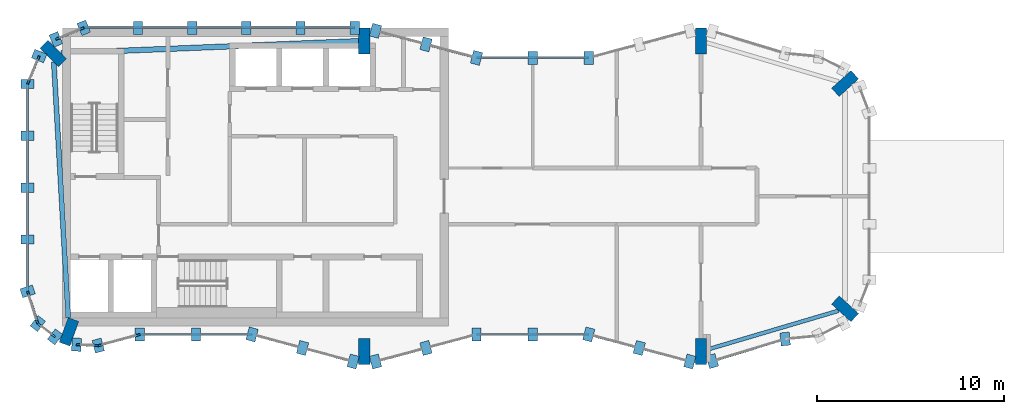
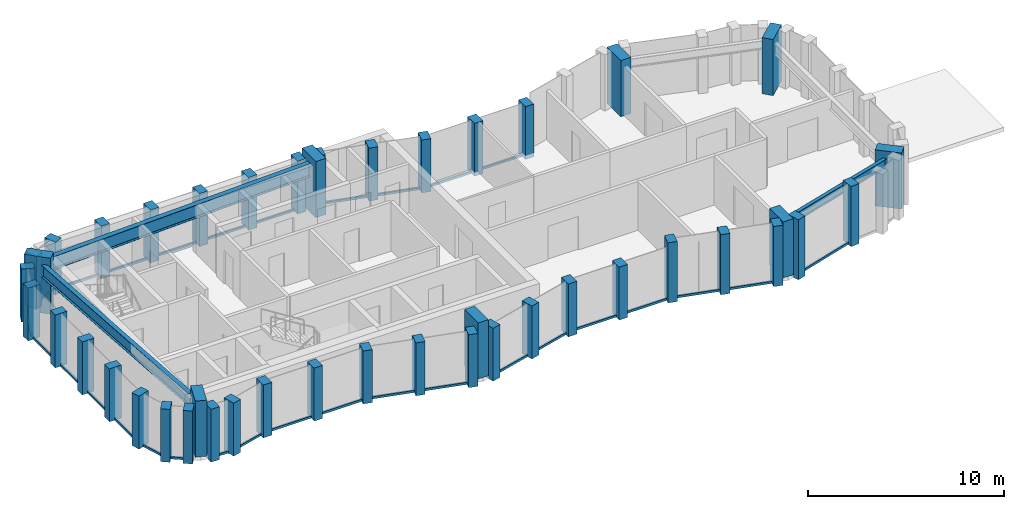
# One storey, part 1 of 6: 52 members, 8 columns, 3 beams, 17 elements without a shape of their own.
"""IFC4 building model written with IfcOpenShell, lengths in metres."""

from ifc_helpers import new_model, si_unit, direction, frame, origin, origin_2d, place, context, subcontext, project, spatial, rectangle, i_section, extrude, material, layer, layer_set, material_profile, profile_set, type_object, element, aggregate, save


model = new_model("IFC4")

# Units and contexts
model_context = context("Model", 3, precision=1e-05, world=origin(), true_north=direction((0.0, 1.0)))
body_context = subcontext(model_context, "Body", "Model", "MODEL_VIEW")
ifc_project = project(units=[si_unit("LENGTHUNIT", "METRE"), si_unit("AREAUNIT", "SQUARE_METRE"), si_unit("VOLUMEUNIT", "CUBIC_METRE"), si_unit("PLANEANGLEUNIT", "RADIAN"), si_unit("MASSUNIT", "GRAM", prefix="KILO")], contexts=[model_context])

# Site, building, storey
site_placement = place(None, origin())
site = spatial("IfcSite", under=ifc_project, at=site_placement, CompositionType="ELEMENT")
building_placement = place(site_placement, origin())
building = spatial("IfcBuilding", under=site, at=building_placement, Name="Plateau Cross Towers", CompositionType="ELEMENT")
storey_placement = place(building_placement, frame((0.0, 0.0, 291.39990234375)))
storey = spatial("IfcBuildingStorey", under=building, at=storey_placement, Name="L77 Crown 1", CompositionType="ELEMENT", Elevation=291.39990234375)

# Columns
ifc_material_1 = material(Name="Concrete C60/75", Category="concrete")
ifc_material_profile_1 = material_profile(ifc_material_1, rectangle(XDim=0.60009765625, YDim=1.39990234375, at=origin_2d()), Name="RC 600x1400")
ifc_profile_set_1 = profile_set([ifc_material_profile_1], Name="Concrete C60/75")
column_type = type_object("IfcColumnType", Name="Fin pier column RC 600x1400", PredefinedType="COLUMN", material=ifc_profile_set_1)
for number, where, z_axis, x_axis, name in (
    (1, (18.0, 0.699951171875, 0.0), (0.0, 0.0, 1.0), (1.0, 0.0, 0.0), "PR1 L77 Crown 1"),
    (2, (36.0, 0.699951171875, 0.0), (0.0, 0.0, 1.0), (1.0, 0.0, 0.0), "PR2 L77 Crown 1"),
    (3, (43.703125, 2.97705078125, 0.0), (0.0, 0.0, 1.0), (0.672084253376, 0.740474683135, 0.0), "PR15 L77 Crown 1"),
    (4, (43.703125, 15.02294921875, 0.0), (0.0, 0.0, 1.0), (-0.672084253376, 0.740474683135, 0.0), "PR16 L77 Crown 1"),
    (5, (36.0, 17.300048828125, 0.0), (0.0, 0.0, 1.0), (1.0, 0.0, 0.0), "PR5 L77 Crown 1"),
    (6, (18.0, 17.300048828125, 0.0), (0.0, 0.0, 1.0), (1.0, 0.0, 0.0), "PR13 L77 Crown 1"),
    (7, (1.37353515625, 16.62646484375, 0.0), (0.0, 0.0, 1.0), (0.707106781187, 0.707106781187, 0.0), "PR14 L77 Crown 1"),
    (8, (2.213134765625, 1.748046875, 0.0), (0.0, 0.0, 1.0), (-0.939664280925, 0.342097996418, 0.0), "PR12 L77 Crown 1"),
):
    element("IfcColumn", number, at=place(storey_placement, frame(where, z_axis=z_axis, x_axis=x_axis)), inside=storey, type_object=column_type, Name=name, PredefinedType="COLUMN", context=body_context, shape_type="SweptSolid", body=[
        extrude(rectangle(XDim=0.60009765625, YDim=1.39990234375, at=origin_2d()), origin(), (0.0, 0.0, 1.0), 3.5),
    ])

# Beams
ifc_material_2 = material(Name="Steel S355", Category="steel")
ifc_material_profile_2 = material_profile(ifc_material_2, i_section(OverallWidth=0.209228515625, OverallDepth=0.533203125, WebThickness=0.010009765625, FlangeThickness=0.015625, FilletRadius=0.0126953125, at=origin_2d()), Name="UB 533x210x92")
ifc_profile_set_2 = profile_set([ifc_material_profile_2], Name="Steel S355")
beam_type_1 = type_object("IfcBeamType", Name="Crown ring beam UB 533x210x92", PredefinedType="BEAM", material=ifc_profile_set_2)
beam_1_placement = place(storey_placement, frame((36.300048828125, 0.78857421875, 2.783447265625), z_axis=(0.958969404993, 0.283509577064, 0.0), x_axis=(-0.283509577064, 0.958969404993, 0.0)))
element("IfcBeam", 9, at=beam_1_placement, inside=storey, type_object=beam_type_1, Name="CRB-L77 Crown 1-02", PredefinedType="BEAM", context=body_context, shape_type="SweptSolid", body=[
    extrude(i_section(OverallWidth=0.209228515625, OverallDepth=0.533203125, WebThickness=0.010009765625, FlangeThickness=0.015625, FilletRadius=0.0126953125, at=origin_2d()), origin(), (0.0, 0.0, 1.0), 7.36865234375),
])
ifc_material_profile_3 = material_profile(ifc_material_2, i_section(OverallWidth=0.26513671875, OverallDepth=0.75390625, WebThickness=0.0126953125, FlangeThickness=0.017578125, FilletRadius=0.0166015625, at=origin_2d()), Name="UB 762x267x147")
ifc_profile_set_3 = profile_set([ifc_material_profile_3], Name="Steel S355")
beam_type_2 = type_object("IfcBeamType", Name="Crown ring beam UB 762x267x147", PredefinedType="BEAM", material=ifc_profile_set_3)
beam_2_placement = place(storey_placement, frame((1.39892578125, 16.1767578125, 2.673095703125), z_axis=(0.056348976318, -0.998411134187, 0.0), x_axis=(0.998411134187, 0.056348976318, 0.0)))
element("IfcBeam", 10, at=beam_2_placement, inside=storey, type_object=beam_type_2, Name="CRB-L77 Crown 1-07", PredefinedType="BEAM", context=body_context, shape_type="SweptSolid", body=[
    extrude(i_section(OverallWidth=0.26513671875, OverallDepth=0.75390625, WebThickness=0.0126953125, FlangeThickness=0.017578125, FilletRadius=0.0166015625, at=origin_2d()), origin(), (0.0, 0.0, 1.0), 13.691162109375),
])
ifc_material_profile_4 = material_profile(ifc_material_2, i_section(OverallWidth=0.291748046875, OverallDepth=0.8349609375, WebThickness=0.013916015625, FlangeThickness=0.018798828125, FilletRadius=0.017822265625, at=origin_2d()), Name="UB 838x292x176")
ifc_profile_set_4 = profile_set([ifc_material_profile_4], Name="Steel S355")
beam_type_3 = type_object("IfcBeamType", Name="Crown ring beam UB 838x292x176", PredefinedType="BEAM", material=ifc_profile_set_4)
beam_3_placement = place(storey_placement, frame((17.699951171875, 17.287841796875, 2.632568359375), z_axis=(-0.999180065047, -0.040487005488, 0.0), x_axis=(0.040487005488, -0.999180065047, 0.0)))
element("IfcBeam", 11, at=beam_3_placement, inside=storey, type_object=beam_type_3, Name="CRB-L77 Crown 1-06", PredefinedType="BEAM", context=body_context, shape_type="SweptSolid", body=[
    extrude(i_section(OverallWidth=0.291748046875, OverallDepth=0.8349609375, WebThickness=0.013916015625, FlangeThickness=0.018798828125, FilletRadius=0.017822265625, at=origin_2d()), origin(), (0.0, 0.0, 1.0), 15.931640625),
])

# Curtain wall, member
ifc_material_3 = material(Name="Dark low-iron glass", Category="glass")
ifc_layer = layer(ifc_material_3, 0.800048828125)
ifc_layer_set = layer_set([ifc_layer], Name="Dark low-iron glass")
curtain_wall_type = type_object("IfcCurtainWallType", Name="Curtain wall sky lounge CW-D", PredefinedType="NOTDEFINED", material=ifc_layer_set)
curtain_wall_1_placement = place(storey_placement, origin())
curtain_wall_1 = element("IfcCurtainWall", 12, at=curtain_wall_1_placement, inside=storey, type_object=curtain_wall_type, Name="ENV/A/L77 Crown 1/A38_10", PredefinedType="NOTDEFINED")
ifc_material_4 = material(Name="Black anodised aluminium", Category="aluminium")
ifc_material_profile_5 = material_profile(ifc_material_4, rectangle(XDim=0.5, YDim=0.699951171875, at=origin_2d()), Name="MULLION 500x700")
ifc_profile_set_5 = profile_set([ifc_material_profile_5], Name="Black anodised aluminium")
member_type_1 = type_object("IfcMemberType", Name="Mullion 500x700 sky lounge", PredefinedType="MULLION", material=ifc_profile_set_5)
member_1_placement = place(storey_placement, frame((3.776123046875, 1.01123046875, -0.25), z_axis=(0.0, 0.0, 1.0), x_axis=(0.965957962328, 0.258699081978, 0.0)))
member_1 = element("IfcMember", 13, at=member_1_placement, type_object=member_type_1, Name="CW-D mullion 1", PredefinedType="MULLION", context=body_context, shape_type="SweptSolid", body=[
    extrude(rectangle(XDim=0.5, YDim=0.699951171875, at=origin_2d()), origin(), (0.0, 0.0, 1.0), 3.300048828125),
])

# Curtain wall, members
curtain_wall_2_placement = place(storey_placement, origin())
curtain_wall_2 = element("IfcCurtainWall", 14, at=curtain_wall_2_placement, inside=storey, type_object=curtain_wall_type, Name="ENV/A/L77 Crown 1/A60_16", PredefinedType="NOTDEFINED")
member_2_placement = place(storey_placement, frame((6.0, 1.60693359375, -0.25), z_axis=(0.0, 0.0, 1.0), x_axis=(1.0, 0.0, 0.0)))
member_2 = element("IfcMember", 15, at=member_2_placement, type_object=member_type_1, Name="CW-D mullion 1", PredefinedType="MULLION", context=body_context, shape_type="SweptSolid", body=[
    extrude(rectangle(XDim=0.5, YDim=0.699951171875, at=origin_2d()), origin(), (0.0, 0.0, 1.0), 3.300048828125),
])
member_3_placement = place(storey_placement, frame((9.0, 1.60693359375, -0.25), z_axis=(0.0, 0.0, 1.0), x_axis=(1.0, 0.0, 0.0)))
member_3 = element("IfcMember", 16, at=member_3_placement, type_object=member_type_1, Name="CW-D mullion 2", PredefinedType="MULLION", context=body_context, shape_type="SweptSolid", body=[
    extrude(rectangle(XDim=0.5, YDim=0.699951171875, at=origin_2d()), origin(), (0.0, 0.0, 1.0), 3.300048828125),
])

curtain_wall_3_placement = place(storey_placement, origin())
curtain_wall_3 = element("IfcCurtainWall", 17, at=curtain_wall_3_placement, inside=storey, type_object=curtain_wall_type, Name="ENV/A/L77 Crown 1/A120_16", PredefinedType="NOTDEFINED")
member_4_placement = place(storey_placement, frame((12.0, 1.60693359375, -0.25), z_axis=(0.0, 0.0, 1.0), x_axis=(0.965957983404, -0.258699003279, 0.0)))
member_4 = element("IfcMember", 18, at=member_4_placement, type_object=member_type_1, Name="CW-D mullion 1", PredefinedType="MULLION", context=body_context, shape_type="SweptSolid", body=[
    extrude(rectangle(XDim=0.5, YDim=0.699951171875, at=origin_2d()), origin(), (0.0, 0.0, 1.0), 3.300048828125),
])
member_5_placement = place(storey_placement, frame((14.70166015625, 0.88330078125, -0.25), z_axis=(0.0, 0.0, 1.0), x_axis=(0.965957983404, -0.258699003279, 0.0)))
member_5 = element("IfcMember", 19, at=member_5_placement, type_object=member_type_1, Name="CW-D mullion 2", PredefinedType="MULLION", context=body_context, shape_type="SweptSolid", body=[
    extrude(rectangle(XDim=0.5, YDim=0.699951171875, at=origin_2d()), origin(), (0.0, 0.0, 1.0), 3.300048828125),
])
member_6_placement = place(storey_placement, frame((17.403076171875, 0.159912109375, -0.25), z_axis=(0.0, 0.0, 1.0), x_axis=(0.965957983404, -0.258699003279, 0.0)))
member_6 = element("IfcMember", 20, at=member_6_placement, type_object=member_type_1, Name="CW-D mullion 3", PredefinedType="MULLION", context=body_context, shape_type="SweptSolid", body=[
    extrude(rectangle(XDim=0.5, YDim=0.699951171875, at=origin_2d()), origin(), (0.0, 0.0, 1.0), 3.300048828125),
])

curtain_wall_4_placement = place(storey_placement, origin())
curtain_wall_4 = element("IfcCurtainWall", 21, at=curtain_wall_4_placement, inside=storey, type_object=curtain_wall_type, Name="ENV/A/L77 Crown 1/A186_2", PredefinedType="NOTDEFINED")
member_7_placement = place(storey_placement, frame((18.596923828125, 0.159912109375, -0.25), z_axis=(0.0, 0.0, 1.0), x_axis=(0.965957983404, 0.258699003279, 0.0)))
member_7 = element("IfcMember", 22, at=member_7_placement, type_object=member_type_1, Name="CW-D mullion 1", PredefinedType="MULLION", context=body_context, shape_type="SweptSolid", body=[
    extrude(rectangle(XDim=0.5, YDim=0.699951171875, at=origin_2d()), origin(), (0.0, 0.0, 1.0), 3.300048828125),
])
member_8_placement = place(storey_placement, frame((21.29833984375, 0.88330078125, -0.25), z_axis=(0.0, 0.0, 1.0), x_axis=(0.965957983404, 0.258699003279, 0.0)))
member_8 = element("IfcMember", 23, at=member_8_placement, type_object=member_type_1, Name="CW-D mullion 2", PredefinedType="MULLION", context=body_context, shape_type="SweptSolid", body=[
    extrude(rectangle(XDim=0.5, YDim=0.699951171875, at=origin_2d()), origin(), (0.0, 0.0, 1.0), 3.300048828125),
])

curtain_wall_5_placement = place(storey_placement, origin())
curtain_wall_5 = element("IfcCurtainWall", 24, at=curtain_wall_5_placement, inside=storey, type_object=curtain_wall_type, Name="ENV/A/L77 Crown 1/A240_16", PredefinedType="NOTDEFINED")
member_9_placement = place(storey_placement, frame((24.0, 1.60693359375, -0.25), z_axis=(0.0, 0.0, 1.0), x_axis=(1.0, 0.0, 0.0)))
member_9 = element("IfcMember", 25, at=member_9_placement, type_object=member_type_1, Name="CW-D mullion 1", PredefinedType="MULLION", context=body_context, shape_type="SweptSolid", body=[
    extrude(rectangle(XDim=0.5, YDim=0.699951171875, at=origin_2d()), origin(), (0.0, 0.0, 1.0), 3.300048828125),
])
member_10_placement = place(storey_placement, frame((27.0, 1.60693359375, -0.25), z_axis=(0.0, 0.0, 1.0), x_axis=(1.0, 0.0, 0.0)))
member_10 = element("IfcMember", 26, at=member_10_placement, type_object=member_type_1, Name="CW-D mullion 2", PredefinedType="MULLION", context=body_context, shape_type="SweptSolid", body=[
    extrude(rectangle(XDim=0.5, YDim=0.699951171875, at=origin_2d()), origin(), (0.0, 0.0, 1.0), 3.300048828125),
])

curtain_wall_6_placement = place(storey_placement, origin())
curtain_wall_6 = element("IfcCurtainWall", 27, at=curtain_wall_6_placement, inside=storey, type_object=curtain_wall_type, Name="ENV/A/L77 Crown 1/A300_16", PredefinedType="NOTDEFINED")
member_11_placement = place(storey_placement, frame((30.0, 1.60693359375, -0.25), z_axis=(0.0, 0.0, 1.0), x_axis=(0.965957983404, -0.258699003279, 0.0)))
member_11 = element("IfcMember", 28, at=member_11_placement, type_object=member_type_1, Name="CW-D mullion 1", PredefinedType="MULLION", context=body_context, shape_type="SweptSolid", body=[
    extrude(rectangle(XDim=0.5, YDim=0.699951171875, at=origin_2d()), origin(), (0.0, 0.0, 1.0), 3.75),
])
member_12_placement = place(storey_placement, frame((32.70166015625, 0.88330078125, -0.25), z_axis=(0.0, 0.0, 1.0), x_axis=(0.965957983404, -0.258699003279, 0.0)))
member_12 = element("IfcMember", 29, at=member_12_placement, type_object=member_type_1, Name="CW-D mullion 2", PredefinedType="MULLION", context=body_context, shape_type="SweptSolid", body=[
    extrude(rectangle(XDim=0.5, YDim=0.699951171875, at=origin_2d()), origin(), (0.0, 0.0, 1.0), 3.75),
])
member_13_placement = place(storey_placement, frame((35.403076171875, 0.159912109375, -0.25), z_axis=(0.0, 0.0, 1.0), x_axis=(0.965957983404, -0.258699003279, 0.0)))
member_13 = element("IfcMember", 30, at=member_13_placement, type_object=member_type_1, Name="CW-D mullion 3", PredefinedType="MULLION", context=body_context, shape_type="SweptSolid", body=[
    extrude(rectangle(XDim=0.5, YDim=0.699951171875, at=origin_2d()), origin(), (0.0, 0.0, 1.0), 3.75),
])

# Curtain wall, member
curtain_wall_7_placement = place(storey_placement, origin())
curtain_wall_7 = element("IfcCurtainWall", 31, at=curtain_wall_7_placement, inside=storey, type_object=curtain_wall_type, Name="ENV/A/L77 Crown 1/A366_2", PredefinedType="NOTDEFINED")
member_14_placement = place(storey_placement, frame((36.60546875, 0.183349609375, -0.25), z_axis=(0.0, 0.0, 1.0), x_axis=(0.957048328724, 0.289928433386, 0.0)))
member_14 = element("IfcMember", 32, at=member_14_placement, type_object=member_type_1, Name="CW-D mullion 1", PredefinedType="MULLION", context=body_context, shape_type="SweptSolid", body=[
    extrude(rectangle(XDim=0.5, YDim=0.699951171875, at=origin_2d()), origin(), (0.0, 0.0, 1.0), 3.75),
])

curtain_wall_8_placement = place(storey_placement, origin())
curtain_wall_8 = element("IfcCurtainWall", 33, at=curtain_wall_8_placement, inside=storey, type_object=curtain_wall_type, Name="ENV/A/L77 Crown 1/A405_14", PredefinedType="NOTDEFINED")
member_15_placement = place(storey_placement, frame((40.5, 1.36328125, -0.25), z_axis=(0.0, 0.0, 1.0), x_axis=(0.995322680406, 0.096606220658, 0.0)))
member_15 = element("IfcMember", 34, at=member_15_placement, type_object=member_type_1, Name="CW-D mullion 1", PredefinedType="MULLION", context=body_context, shape_type="SweptSolid", body=[
    extrude(rectangle(XDim=0.5, YDim=0.699951171875, at=origin_2d()), origin(), (0.0, 0.0, 1.0), 3.75),
])
aggregate(curtain_wall_8, [member_15])

# Curtain wall, members
curtain_wall_9_placement = place(storey_placement, origin())
curtain_wall_9 = element("IfcCurtainWall", 35, at=curtain_wall_9_placement, inside=storey, type_object=curtain_wall_type, Name="ENV/A/L77 Crown 1/A300_164", PredefinedType="NOTDEFINED")
member_16_placement = place(storey_placement, frame((30.0, 16.39306640625, -0.25), z_axis=(0.0, 0.0, 1.0), x_axis=(-1.0, 0.0, 0.0)))
member_16 = element("IfcMember", 36, at=member_16_placement, type_object=member_type_1, Name="CW-D mullion 1", PredefinedType="MULLION", context=body_context, shape_type="SweptSolid", body=[
    extrude(rectangle(XDim=0.5, YDim=0.699951171875, at=origin_2d()), origin(), (0.0, 0.0, 1.0), 3.300048828125),
])
member_17_placement = place(storey_placement, frame((27.0, 16.39306640625, -0.25), z_axis=(0.0, 0.0, 1.0), x_axis=(-1.0, 0.0, 0.0)))
member_17 = element("IfcMember", 37, at=member_17_placement, type_object=member_type_1, Name="CW-D mullion 2", PredefinedType="MULLION", context=body_context, shape_type="SweptSolid", body=[
    extrude(rectangle(XDim=0.5, YDim=0.699951171875, at=origin_2d()), origin(), (0.0, 0.0, 1.0), 3.300048828125),
])

curtain_wall_10_placement = place(storey_placement, origin())
curtain_wall_10 = element("IfcCurtainWall", 38, at=curtain_wall_10_placement, inside=storey, type_object=curtain_wall_type, Name="ENV/A/L77 Crown 1/A240_164", PredefinedType="NOTDEFINED")
member_18_placement = place(storey_placement, frame((24.0, 16.39306640625, -0.25), z_axis=(0.0, 0.0, 1.0), x_axis=(-0.965957983404, 0.258699003279, 0.0)))
member_18 = element("IfcMember", 39, at=member_18_placement, type_object=member_type_1, Name="CW-D mullion 1", PredefinedType="MULLION", context=body_context, shape_type="SweptSolid", body=[
    extrude(rectangle(XDim=0.5, YDim=0.699951171875, at=origin_2d()), origin(), (0.0, 0.0, 1.0), 3.300048828125),
])
member_19_placement = place(storey_placement, frame((21.29833984375, 17.11669921875, -0.25), z_axis=(0.0, 0.0, 1.0), x_axis=(-0.965957983404, 0.258699003279, 0.0)))
member_19 = element("IfcMember", 40, at=member_19_placement, type_object=member_type_1, Name="CW-D mullion 2", PredefinedType="MULLION", context=body_context, shape_type="SweptSolid", body=[
    extrude(rectangle(XDim=0.5, YDim=0.699951171875, at=origin_2d()), origin(), (0.0, 0.0, 1.0), 3.300048828125),
])
member_20_placement = place(storey_placement, frame((18.596923828125, 17.840087890625, -0.25), z_axis=(0.0, 0.0, 1.0), x_axis=(-0.965957983404, 0.258699003279, 0.0)))
member_20 = element("IfcMember", 41, at=member_20_placement, type_object=member_type_1, Name="CW-D mullion 3", PredefinedType="MULLION", context=body_context, shape_type="SweptSolid", body=[
    extrude(rectangle(XDim=0.5, YDim=0.699951171875, at=origin_2d()), origin(), (0.0, 0.0, 1.0), 3.300048828125),
])

curtain_wall_11_placement = place(storey_placement, origin())
curtain_wall_11 = element("IfcCurtainWall", 42, at=curtain_wall_11_placement, inside=storey, type_object=curtain_wall_type, Name="ENV/A/L77 Crown 1/A175_180", PredefinedType="NOTDEFINED")
member_21_placement = place(storey_placement, frame((17.485107421875, 18.0, -0.25), z_axis=(0.0, 0.0, 1.0), x_axis=(-1.0, 0.0, 0.0)))
member_21 = element("IfcMember", 43, at=member_21_placement, type_object=member_type_1, Name="CW-D mullion 1", PredefinedType="MULLION", context=body_context, shape_type="SweptSolid", body=[
    extrude(rectangle(XDim=0.5, YDim=0.699951171875, at=origin_2d()), origin(), (0.0, 0.0, 1.0), 3.300048828125),
])
member_22_placement = place(storey_placement, frame((14.587890625, 18.0, -0.25), z_axis=(0.0, 0.0, 1.0), x_axis=(-1.0, 0.0, 0.0)))
member_22 = element("IfcMember", 44, at=member_22_placement, type_object=member_type_1, Name="CW-D mullion 2", PredefinedType="MULLION", context=body_context, shape_type="SweptSolid", body=[
    extrude(rectangle(XDim=0.5, YDim=0.699951171875, at=origin_2d()), origin(), (0.0, 0.0, 1.0), 3.300048828125),
])
member_23_placement = place(storey_placement, frame((11.69091796875, 18.0, -0.25), z_axis=(0.0, 0.0, 1.0), x_axis=(-1.0, 0.0, 0.0)))
member_23 = element("IfcMember", 45, at=member_23_placement, type_object=member_type_1, Name="CW-D mullion 3", PredefinedType="MULLION", context=body_context, shape_type="SweptSolid", body=[
    extrude(rectangle(XDim=0.5, YDim=0.699951171875, at=origin_2d()), origin(), (0.0, 0.0, 1.0), 3.300048828125),
])
member_24_placement = place(storey_placement, frame((8.7939453125, 18.0, -0.25), z_axis=(0.0, 0.0, 1.0), x_axis=(-1.0, 0.0, 0.0)))
member_24 = element("IfcMember", 46, at=member_24_placement, type_object=member_type_1, Name="CW-D mullion 4", PredefinedType="MULLION", context=body_context, shape_type="SweptSolid", body=[
    extrude(rectangle(XDim=0.5, YDim=0.699951171875, at=origin_2d()), origin(), (0.0, 0.0, 1.0), 3.300048828125),
])
member_25_placement = place(storey_placement, frame((5.89697265625, 18.0, -0.25), z_axis=(0.0, 0.0, 1.0), x_axis=(-1.0, 0.0, 0.0)))
member_25 = element("IfcMember", 47, at=member_25_placement, type_object=member_type_1, Name="CW-D mullion 5", PredefinedType="MULLION", context=body_context, shape_type="SweptSolid", body=[
    extrude(rectangle(XDim=0.5, YDim=0.699951171875, at=origin_2d()), origin(), (0.0, 0.0, 1.0), 3.300048828125),
])

curtain_wall_12_placement = place(storey_placement, origin())
curtain_wall_12 = element("IfcCurtainWall", 48, at=curtain_wall_12_placement, inside=storey, type_object=curtain_wall_type, Name="ENV/A/L77 Crown 1/A30_180", PredefinedType="NOTDEFINED")
member_26_placement = place(storey_placement, frame((3.0, 18.0, -0.25), z_axis=(0.0, 0.0, 1.0), x_axis=(-0.923879457699, -0.382683612978, 0.0)))
member_26 = element("IfcMember", 49, at=member_26_placement, type_object=member_type_1, Name="CW-D mullion 1", PredefinedType="MULLION", context=body_context, shape_type="SweptSolid", body=[
    extrude(rectangle(XDim=0.5, YDim=0.699951171875, at=origin_2d()), origin(), (0.0, 0.0, 1.0), 3.300048828125),
])
member_27_placement = place(storey_placement, frame((1.50830078125, 17.382080078125, -0.25), z_axis=(0.0, 0.0, 1.0), x_axis=(-0.923879457699, -0.382683612978, 0.0)))
member_27 = element("IfcMember", 50, at=member_27_placement, type_object=member_type_1, Name="CW-D mullion 2", PredefinedType="MULLION", context=body_context, shape_type="SweptSolid", body=[
    extrude(rectangle(XDim=0.5, YDim=0.699951171875, at=origin_2d()), origin(), (0.0, 0.0, 1.0), 3.300048828125),
])

# Curtain wall, member
curtain_wall_13_placement = place(storey_placement, origin())
curtain_wall_13 = element("IfcCurtainWall", 51, at=curtain_wall_13_placement, inside=storey, type_object=curtain_wall_type, Name="ENV/A/L77 Crown 1/A6_165", PredefinedType="NOTDEFINED")
member_28_placement = place(storey_placement, frame((0.617919921875, 16.49169921875, -0.25), z_axis=(0.0, 0.0, 1.0), x_axis=(-0.382683612978, -0.923879457699, 0.0)))
member_28 = element("IfcMember", 52, at=member_28_placement, type_object=member_type_1, Name="CW-D mullion 1", PredefinedType="MULLION", context=body_context, shape_type="SweptSolid", body=[
    extrude(rectangle(XDim=0.5, YDim=0.699951171875, at=origin_2d()), origin(), (0.0, 0.0, 1.0), 3.300048828125),
])

# Curtain wall, members
curtain_wall_14_placement = place(storey_placement, origin())
curtain_wall_14 = element("IfcCurtainWall", 53, at=curtain_wall_14_placement, inside=storey, type_object=curtain_wall_type, Name="ENV/A/L77 Crown 1/A0_150", PredefinedType="NOTDEFINED")
member_29_placement = place(storey_placement, frame((0.0, 15.0, -0.25), z_axis=(0.0, 0.0, 1.0), x_axis=(0.0, -1.0, 0.0)))
member_29 = element("IfcMember", 54, at=member_29_placement, type_object=member_type_1, Name="CW-D mullion 1", PredefinedType="MULLION", context=body_context, shape_type="SweptSolid", body=[
    extrude(rectangle(XDim=0.5, YDim=0.699951171875, at=origin_2d()), origin(), (0.0, 0.0, 1.0), 3.300048828125),
])
member_30_placement = place(storey_placement, frame((0.0, 12.227294921875, -0.25), z_axis=(0.0, 0.0, 1.0), x_axis=(0.0, -1.0, 0.0)))
member_30 = element("IfcMember", 55, at=member_30_placement, type_object=member_type_1, Name="CW-D mullion 2", PredefinedType="MULLION", context=body_context, shape_type="SweptSolid", body=[
    extrude(rectangle(XDim=0.5, YDim=0.699951171875, at=origin_2d()), origin(), (0.0, 0.0, 1.0), 3.300048828125),
])
member_31_placement = place(storey_placement, frame((0.0, 9.45458984375, -0.25), z_axis=(0.0, 0.0, 1.0), x_axis=(0.0, -1.0, 0.0)))
member_31 = element("IfcMember", 56, at=member_31_placement, type_object=member_type_1, Name="CW-D mullion 3", PredefinedType="MULLION", context=body_context, shape_type="SweptSolid", body=[
    extrude(rectangle(XDim=0.5, YDim=0.699951171875, at=origin_2d()), origin(), (0.0, 0.0, 1.0), 3.300048828125),
])
member_32_placement = place(storey_placement, frame((0.0, 6.681884765625, -0.25), z_axis=(0.0, 0.0, 1.0), x_axis=(0.0, -1.0, 0.0)))
member_32 = element("IfcMember", 57, at=member_32_placement, type_object=member_type_1, Name="CW-D mullion 4", PredefinedType="MULLION", context=body_context, shape_type="SweptSolid", body=[
    extrude(rectangle(XDim=0.5, YDim=0.699951171875, at=origin_2d()), origin(), (0.0, 0.0, 1.0), 3.300048828125),
])

# Curtain wall, member
curtain_wall_15_placement = place(storey_placement, origin())
curtain_wall_15 = element("IfcCurtainWall", 58, at=curtain_wall_15_placement, inside=storey, type_object=curtain_wall_type, Name="ENV/A/L77 Crown 1/A0_39", PredefinedType="NOTDEFINED")
member_33_placement = place(storey_placement, frame((0.0, 3.9091796875, -0.25), z_axis=(0.0, 0.0, 1.0), x_axis=(0.300686174994, -0.95372313811, 0.0)))
member_33 = element("IfcMember", 59, at=member_33_placement, type_object=member_type_1, Name="CW-D mullion 1", PredefinedType="MULLION", context=body_context, shape_type="SweptSolid", body=[
    extrude(rectangle(XDim=0.5, YDim=0.699951171875, at=origin_2d()), origin(), (0.0, 0.0, 1.0), 3.300048828125),
])

# Curtain wall, members
curtain_wall_16_placement = place(storey_placement, origin())
curtain_wall_16 = element("IfcCurtainWall", 60, at=curtain_wall_16_placement, inside=storey, type_object=curtain_wall_type, Name="ENV/A/L77 Crown 1/A5_22", PredefinedType="NOTDEFINED")
member_34_placement = place(storey_placement, frame((0.54248046875, 2.1884765625, -0.25), z_axis=(0.0, 0.0, 1.0), x_axis=(0.793315514529, -0.608810721331, 0.0)))
member_34 = element("IfcMember", 61, at=member_34_placement, type_object=member_type_1, Name="CW-D mullion 1", PredefinedType="MULLION", context=body_context, shape_type="SweptSolid", body=[
    extrude(rectangle(XDim=0.5, YDim=0.699951171875, at=origin_2d()), origin(), (0.0, 0.0, 1.0), 3.300048828125),
])
member_35_placement = place(storey_placement, frame((1.467529296875, 1.478515625, -0.25), z_axis=(0.0, 0.0, 1.0), x_axis=(0.793315514529, -0.608810721331, 0.0)))
member_35 = element("IfcMember", 62, at=member_35_placement, type_object=member_type_1, Name="CW-D mullion 2", PredefinedType="MULLION", context=body_context, shape_type="SweptSolid", body=[
    extrude(rectangle(XDim=0.5, YDim=0.699951171875, at=origin_2d()), origin(), (0.0, 0.0, 1.0), 3.300048828125),
])

# Curtain wall, member
curtain_wall_17_placement = place(storey_placement, origin())
curtain_wall_17 = element("IfcCurtainWall", 63, at=curtain_wall_17_placement, inside=storey, type_object=curtain_wall_type, Name="ENV/A/L77 Crown 1/A26_11", PredefinedType="NOTDEFINED")
member_36_placement = place(storey_placement, frame((2.611083984375, 1.062255859375, -0.25), z_axis=(0.0, 0.0, 1.0), x_axis=(0.999043701491, -0.043722791671, 0.0)))
member_36 = element("IfcMember", 64, at=member_36_placement, type_object=member_type_1, Name="CW-D mullion 1", PredefinedType="MULLION", context=body_context, shape_type="SweptSolid", body=[
    extrude(rectangle(XDim=0.5, YDim=0.699951171875, at=origin_2d()), origin(), (0.0, 0.0, 1.0), 3.300048828125),
])

# Member
ifc_material_profile_6 = material_profile(ifc_material_4, rectangle(XDim=0.10009765625, YDim=0.139892578125, at=origin_2d()), Name="TRANSOM 100x140")
ifc_profile_set_6 = profile_set([ifc_material_profile_6], Name="Black anodised aluminium")
member_type_2 = type_object("IfcMemberType", Name="Transom 100x140 sky lounge", PredefinedType="USERDEFINED", material=ifc_profile_set_6)
member_37_placement = place(storey_placement, frame((3.776123046875, 1.01123046875, -0.179931640625), z_axis=(0.965945685136, 0.258744919501, 0.0), x_axis=(-0.258744919501, 0.965945685136, 0.0)))
member_37 = element("IfcMember", 65, at=member_37_placement, type_object=member_type_2, Name="CW-D transom", ObjectType="TRANSOM", PredefinedType="USERDEFINED", context=body_context, shape_type="SweptSolid", body=[
    extrude(rectangle(XDim=0.10009765625, YDim=0.139892578125, at=origin_2d()), origin(), (0.0, 0.0, 1.0), 2.30224609375),
])

aggregate(curtain_wall_1, [member_1, member_37])

member_38_placement = place(storey_placement, frame((6.0, 1.60693359375, -0.179931640625), z_axis=(1.0, 0.0, 0.0), x_axis=(0.0, 1.0, 0.0)))
member_38 = element("IfcMember", 66, at=member_38_placement, type_object=member_type_2, Name="CW-D transom", ObjectType="TRANSOM", PredefinedType="USERDEFINED", context=body_context, shape_type="SweptSolid", body=[
    extrude(rectangle(XDim=0.10009765625, YDim=0.139892578125, at=origin_2d()), origin(), (0.0, 0.0, 1.0), 6.0),
])

aggregate(curtain_wall_2, [member_2, member_3, member_38])

member_39_placement = place(storey_placement, frame((12.0, 1.60693359375, -0.179931640625), z_axis=(0.965958374924, -0.258697541375, 0.0), x_axis=(0.258697541375, 0.965958374924, 0.0)))
member_39 = element("IfcMember", 67, at=member_39_placement, type_object=member_type_2, Name="CW-D transom", ObjectType="TRANSOM", PredefinedType="USERDEFINED", context=body_context, shape_type="SweptSolid", body=[
    extrude(rectangle(XDim=0.10009765625, YDim=0.139892578125, at=origin_2d()), origin(), (0.0, 0.0, 1.0), 5.593505859375),
])

aggregate(curtain_wall_3, [member_4, member_5, member_6, member_39])

member_40_placement = place(storey_placement, frame((18.596923828125, 0.159912109375, -0.179931640625), z_axis=(0.965958374924, 0.258697541375, 0.0), x_axis=(-0.258697541375, 0.965958374924, 0.0)))
member_40 = element("IfcMember", 68, at=member_40_placement, type_object=member_type_2, Name="CW-D transom", ObjectType="TRANSOM", PredefinedType="USERDEFINED", context=body_context, shape_type="SweptSolid", body=[
    extrude(rectangle(XDim=0.10009765625, YDim=0.139892578125, at=origin_2d()), origin(), (0.0, 0.0, 1.0), 5.593505859375),
])

aggregate(curtain_wall_4, [member_7, member_8, member_40])

member_41_placement = place(storey_placement, frame((24.0, 1.60693359375, -0.179931640625), z_axis=(1.0, 0.0, 0.0), x_axis=(0.0, 1.0, 0.0)))
member_41 = element("IfcMember", 69, at=member_41_placement, type_object=member_type_2, Name="CW-D transom", ObjectType="TRANSOM", PredefinedType="USERDEFINED", context=body_context, shape_type="SweptSolid", body=[
    extrude(rectangle(XDim=0.10009765625, YDim=0.139892578125, at=origin_2d()), origin(), (0.0, 0.0, 1.0), 6.0),
])

aggregate(curtain_wall_5, [member_9, member_10, member_41])

member_42_placement = place(storey_placement, frame((30.0, 1.60693359375, -0.179931640625), z_axis=(0.965958374924, -0.258697541375, 0.0), x_axis=(0.258697541375, 0.965958374924, 0.0)))
member_42 = element("IfcMember", 70, at=member_42_placement, type_object=member_type_2, Name="CW-D transom", ObjectType="TRANSOM", PredefinedType="USERDEFINED", context=body_context, shape_type="SweptSolid", body=[
    extrude(rectangle(XDim=0.10009765625, YDim=0.139892578125, at=origin_2d()), origin(), (0.0, 0.0, 1.0), 5.593505859375),
])

aggregate(curtain_wall_6, [member_11, member_12, member_13, member_42])

member_43_placement = place(storey_placement, frame((36.60546875, 0.183349609375, -0.179931640625), z_axis=(0.957040045132, 0.289955775961, 0.0), x_axis=(-0.289955775961, 0.957040045132, 0.0)))
member_43 = element("IfcMember", 71, at=member_43_placement, type_object=member_type_2, Name="CW-D transom", ObjectType="TRANSOM", PredefinedType="USERDEFINED", context=body_context, shape_type="SweptSolid", body=[
    extrude(rectangle(XDim=0.10009765625, YDim=0.139892578125, at=origin_2d()), origin(), (0.0, 0.0, 1.0), 4.0693359375),
])

aggregate(curtain_wall_7, [member_14, member_43])

member_44_placement = place(storey_placement, frame((30.0, 16.39306640625, -0.179931640625), z_axis=(-1.0, 0.0, 0.0), x_axis=(0.0, -1.0, 0.0)))
member_44 = element("IfcMember", 72, at=member_44_placement, type_object=member_type_2, Name="CW-D transom", ObjectType="TRANSOM", PredefinedType="USERDEFINED", context=body_context, shape_type="SweptSolid", body=[
    extrude(rectangle(XDim=0.10009765625, YDim=0.139892578125, at=origin_2d()), origin(), (0.0, 0.0, 1.0), 6.0),
])

aggregate(curtain_wall_9, [member_16, member_17, member_44])

member_45_placement = place(storey_placement, frame((24.0, 16.39306640625, -0.179931640625), z_axis=(-0.965958374924, 0.258697541375, 0.0), x_axis=(-0.258697541375, -0.965958374924, 0.0)))
member_45 = element("IfcMember", 73, at=member_45_placement, type_object=member_type_2, Name="CW-D transom", ObjectType="TRANSOM", PredefinedType="USERDEFINED", context=body_context, shape_type="SweptSolid", body=[
    extrude(rectangle(XDim=0.10009765625, YDim=0.139892578125, at=origin_2d()), origin(), (0.0, 0.0, 1.0), 5.593505859375),
])

aggregate(curtain_wall_10, [member_18, member_19, member_20, member_45])

member_46_placement = place(storey_placement, frame((17.485107421875, 18.0, -0.179931640625), z_axis=(-1.0, 0.0, 0.0), x_axis=(0.0, -1.0, 0.0)))
member_46 = element("IfcMember", 74, at=member_46_placement, type_object=member_type_2, Name="CW-D transom", ObjectType="TRANSOM", PredefinedType="USERDEFINED", context=body_context, shape_type="SweptSolid", body=[
    extrude(rectangle(XDim=0.10009765625, YDim=0.139892578125, at=origin_2d()), origin(), (0.0, 0.0, 1.0), 14.485107421875),
])

aggregate(curtain_wall_11, [member_21, member_22, member_23, member_24, member_25, member_46])

member_47_placement = place(storey_placement, frame((3.0, 18.0, -0.179931640625), z_axis=(-0.923871238907, -0.382703454284, 0.0), x_axis=(0.382703454284, -0.923871238907, 0.0)))
member_47 = element("IfcMember", 75, at=member_47_placement, type_object=member_type_2, Name="CW-D transom", ObjectType="TRANSOM", PredefinedType="USERDEFINED", context=body_context, shape_type="SweptSolid", body=[
    extrude(rectangle(XDim=0.10009765625, YDim=0.139892578125, at=origin_2d()), origin(), (0.0, 0.0, 1.0), 1.614501953125),
])

aggregate(curtain_wall_12, [member_26, member_27, member_47])

member_48_placement = place(storey_placement, frame((0.617919921875, 16.49169921875, -0.179931640625), z_axis=(-0.382703454284, -0.923871238907, 0.0), x_axis=(0.923871238907, -0.382703454284, 0.0)))
member_48 = element("IfcMember", 76, at=member_48_placement, type_object=member_type_2, Name="CW-D transom", ObjectType="TRANSOM", PredefinedType="USERDEFINED", context=body_context, shape_type="SweptSolid", body=[
    extrude(rectangle(XDim=0.10009765625, YDim=0.139892578125, at=origin_2d()), origin(), (0.0, 0.0, 1.0), 1.614501953125),
])

aggregate(curtain_wall_13, [member_28, member_48])

member_49_placement = place(storey_placement, frame((0.0, 15.0, -0.179931640625), z_axis=(0.0, -1.0, 0.0), x_axis=(1.0, 0.0, 0.0)))
member_49 = element("IfcMember", 77, at=member_49_placement, type_object=member_type_2, Name="CW-D transom", ObjectType="TRANSOM", PredefinedType="USERDEFINED", context=body_context, shape_type="SweptSolid", body=[
    extrude(rectangle(XDim=0.10009765625, YDim=0.139892578125, at=origin_2d()), origin(), (0.0, 0.0, 1.0), 11.0908203125),
])

aggregate(curtain_wall_14, [member_29, member_30, member_31, member_32, member_49])

member_50_placement = place(storey_placement, frame((0.0, 3.9091796875, -0.179931640625), z_axis=(0.30067799945, -0.953725715626, 0.0), x_axis=(0.953725715626, 0.30067799945, 0.0)))
member_50 = element("IfcMember", 78, at=member_50_placement, type_object=member_type_2, Name="CW-D transom", ObjectType="TRANSOM", PredefinedType="USERDEFINED", context=body_context, shape_type="SweptSolid", body=[
    extrude(rectangle(XDim=0.10009765625, YDim=0.139892578125, at=origin_2d()), origin(), (0.0, 0.0, 1.0), 1.80419921875),
])

aggregate(curtain_wall_15, [member_33, member_50])

member_51_placement = place(storey_placement, frame((0.54248046875, 2.1884765625, -0.179931640625), z_axis=(0.793292864311, -0.608840234736, 0.0), x_axis=(0.608840234736, 0.793292864311, 0.0)))
member_51 = element("IfcMember", 79, at=member_51_placement, type_object=member_type_2, Name="CW-D transom", ObjectType="TRANSOM", PredefinedType="USERDEFINED", context=body_context, shape_type="SweptSolid", body=[
    extrude(rectangle(XDim=0.10009765625, YDim=0.139892578125, at=origin_2d()), origin(), (0.0, 0.0, 1.0), 1.166015625),
])

aggregate(curtain_wall_16, [member_34, member_35, member_51])

member_52_placement = place(storey_placement, frame((2.611083984375, 1.062255859375, -0.179931640625), z_axis=(0.999042282418, -0.043755204741, 0.0), x_axis=(0.043755204741, 0.999042282418, 0.0)))
member_52 = element("IfcMember", 80, at=member_52_placement, type_object=member_type_2, Name="CW-D transom", ObjectType="TRANSOM", PredefinedType="USERDEFINED", context=body_context, shape_type="SweptSolid", body=[
    extrude(rectangle(XDim=0.10009765625, YDim=0.139892578125, at=origin_2d()), origin(), (0.0, 0.0, 1.0), 1.166259765625),
])

aggregate(curtain_wall_17, [member_36, member_52])

save(model, "model.ifc")
